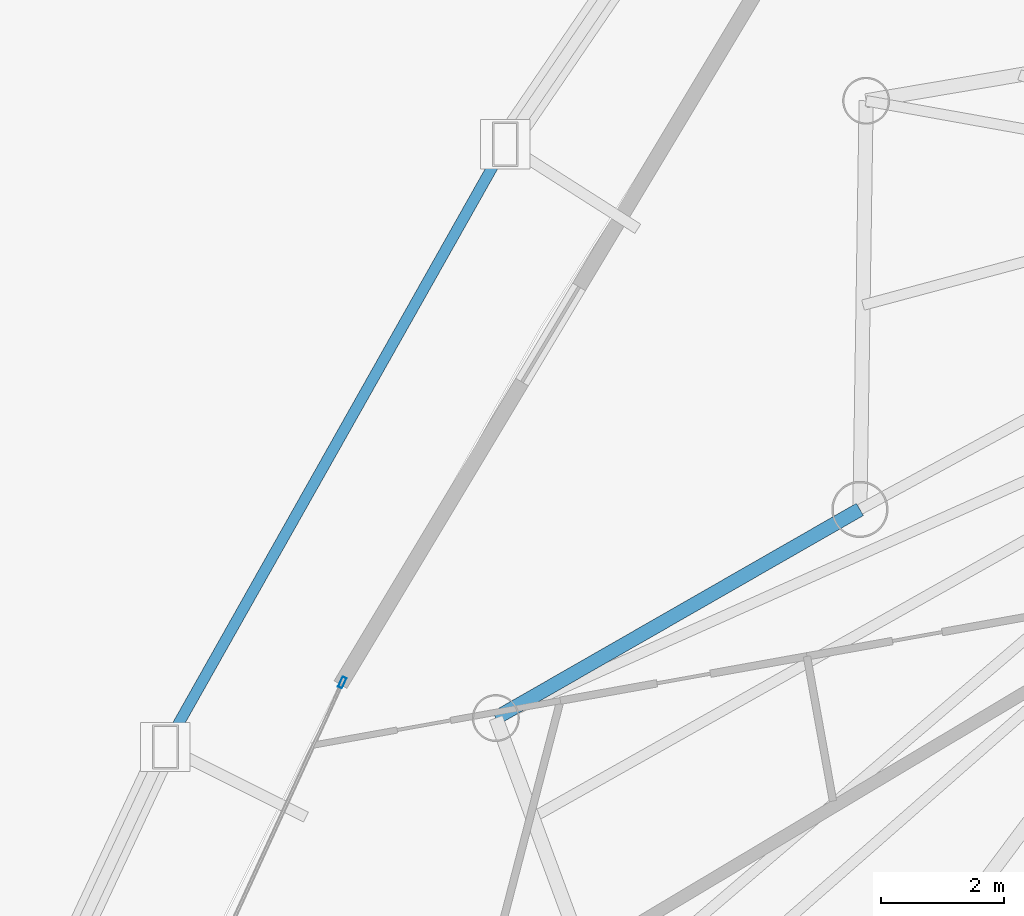
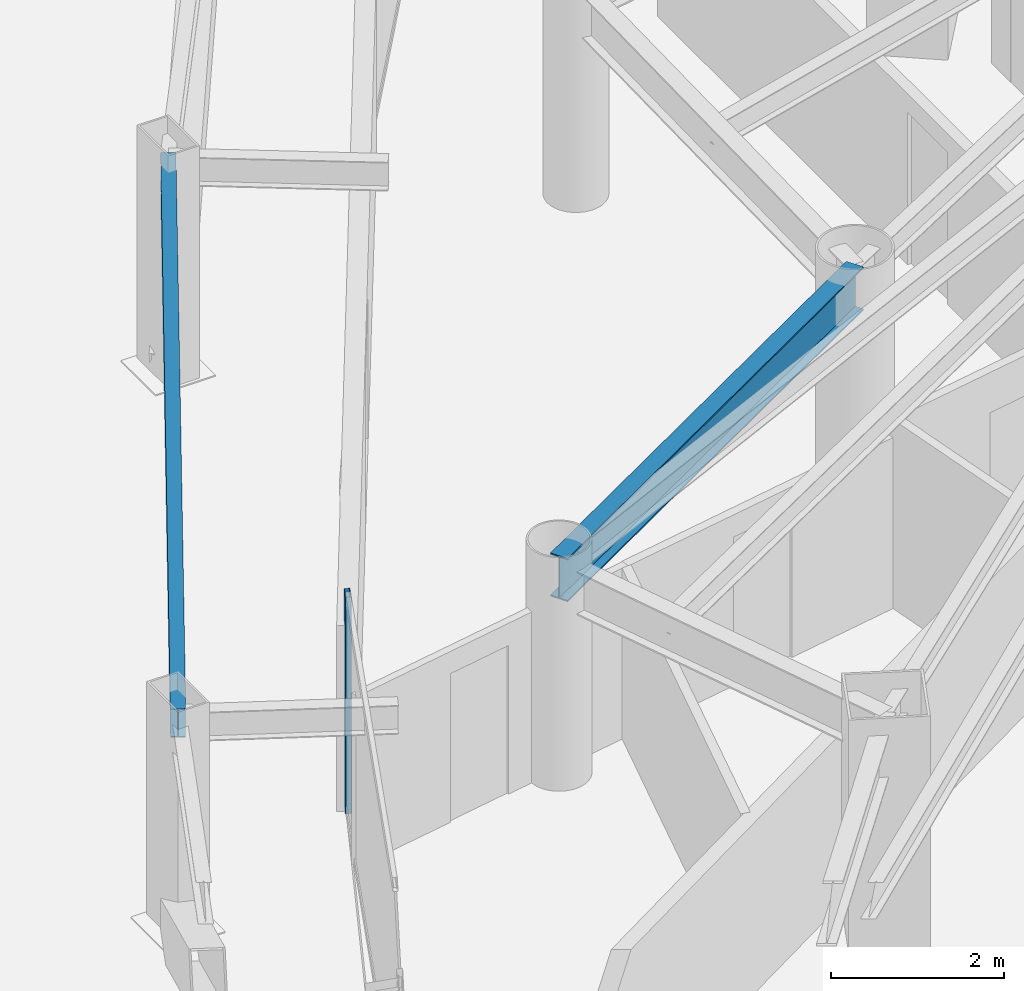
# One storey, part 10 of 36: 2 beams, 1 member, 1 element without a shape of its own.
"""IFC4 building model written with IfcOpenShell, lengths in metres."""

from ifc_helpers import new_model, si_unit, direction, frame, origin, origin_2d, place, context, subcontext, project, spatial, hollow_rectangle, i_section, extrude, material, layer, layer_set, material_profile, profile_set, type_object, element, aggregate, save


model = new_model("IFC4")

# Units and contexts
model_context = context("Model", 3, precision=1e-05, world=origin(), true_north=direction((0.0, 1.0)))
body_context = subcontext(model_context, "Body", "Model", "MODEL_VIEW")
ifc_project = project(units=[si_unit("LENGTHUNIT", "METRE"), si_unit("AREAUNIT", "SQUARE_METRE"), si_unit("VOLUMEUNIT", "CUBIC_METRE"), si_unit("PLANEANGLEUNIT", "RADIAN"), si_unit("MASSUNIT", "GRAM", prefix="KILO")], contexts=[model_context])

# Site, building, storey
site_placement = place(None, origin())
site = spatial("IfcSite", under=ifc_project, at=site_placement, CompositionType="ELEMENT")
building_placement = place(site_placement, origin())
building = spatial("IfcBuilding", under=site, at=building_placement, Name="Orvanel Arch Residences", CompositionType="ELEMENT")
storey_placement = place(building_placement, frame((0.0, 0.0, 23.60009765625)))
storey = spatial("IfcBuildingStorey", under=building, at=storey_placement, Name="L05", CompositionType="ELEMENT", Elevation=23.60009765625)

# Curtain wall, member
ifc_material_1 = material(Name="Bronze-anodised aluminium AA6063-T6", Category="aluminium")
ifc_layer = layer(ifc_material_1, 0.179931640625)
ifc_layer_set = layer_set([ifc_layer], Name="Bronze-anodised aluminium AA6063-T6")
curtain_wall_type = type_object("IfcCurtainWallType", Name="CW2-LOW-SYS", PredefinedType="NOTDEFINED", material=ifc_layer_set)
curtain_wall_placement = place(storey_placement, origin())
curtain_wall = element("IfcCurtainWall", 1, at=curtain_wall_placement, inside=storey, type_object=curtain_wall_type, Name="L05 CW2-LOW-SYS Unitised Curtain Wall", PredefinedType="NOTDEFINED")
ifc_material_profile_1 = material_profile(ifc_material_1, hollow_rectangle(XDim=0.070068359375, YDim=0.179931640625, WallThickness=0.00439453125, at=origin_2d()), Name="ALU180x70x4.5")
ifc_profile_set_1 = profile_set([ifc_material_profile_1], Name="Bronze-anodised aluminium AA6063-T6")
member_type = type_object("IfcMemberType", Name="MUL-180x70", PredefinedType="MULLION", material=ifc_profile_set_1)
member_placement = place(storey_placement, frame((12.17041015625, 24.833251953125, 0.0), z_axis=(0.0, 0.0, 1.0), x_axis=(0.909015042916, -0.416763304229, 0.0)))
member = element("IfcMember", 2, at=member_placement, type_object=member_type, Name="CW-S2 mullion 1", PredefinedType="MULLION", context=body_context, shape_type="SweptSolid", body=[
    extrude(hollow_rectangle(XDim=0.070068359375, YDim=0.179931640625, WallThickness=0.00439453125, at=origin_2d()), origin(), (0.0, 0.0, 1.0), 3.059814453125),
])
aggregate(curtain_wall, [member])

# Beams
ifc_material_2 = material(Name="Structural steel AS/NZS 3679.1 Grade 300 (300 MPa)", Category="steel")
ifc_material_profile_2 = material_profile(ifc_material_2, i_section(OverallWidth=0.177978515625, OverallDepth=0.406005859375, WebThickness=0.0078125, FlangeThickness=0.0126953125, at=origin_2d()), Name="410UB59.7")
ifc_profile_set_2 = profile_set([ifc_material_profile_2], Name="Structural steel AS/NZS 3679.1 Grade 300 (300 MPa)")
beam_type_1 = type_object("IfcBeamType", Name="OB-410UB-EXT", PredefinedType="SPANDREL", material=ifc_profile_set_2)
beam_1_placement = place(storey_placement, frame((14.81494140625, 33.56494140625, 2.85693359375), z_axis=(-0.491266615184, -0.871009249552, 0.0), x_axis=(0.871009249552, -0.491266615184, 0.0)))
element("IfcBeam", 3, at=beam_1_placement, inside=storey, type_object=beam_type_1, Name="L05 Outer Perimeter Floor Ring Beam 02", PredefinedType="SPANDREL", context=body_context, shape_type="SweptSolid", body=[
    extrude(i_section(OverallWidth=0.177978515625, OverallDepth=0.406005859375, WebThickness=0.0078125, FlangeThickness=0.0126953125, at=origin_2d()), origin(), (0.0, 0.0, 1.0), 11.225830078125),
])
ifc_material_profile_3 = material_profile(ifc_material_2, i_section(OverallWidth=0.22900390625, OverallDepth=0.612060546875, WebThickness=0.011962890625, FlangeThickness=0.01953125, at=origin_2d()), Name="610UB125")
ifc_profile_set_3 = profile_set([ifc_material_profile_3], Name="Structural steel AS/NZS 3679.1 Grade 300 (300 MPa)")
beam_type_2 = type_object("IfcBeamType", Name="SP-610UB", PredefinedType="SPANDREL", material=ifc_profile_set_3)
beam_2_placement = place(storey_placement, frame((20.569091796875, 27.64111328125, 2.75390625), z_axis=(-0.867635629025, -0.497200578485, 0.0), x_axis=(0.497200578485, -0.867635629025, 0.0)))
element("IfcBeam", 4, at=beam_2_placement, inside=storey, type_object=beam_type_2, Name="L05 Perimeter Spandrel Beam 21", PredefinedType="SPANDREL", context=body_context, shape_type="SweptSolid", body=[
    extrude(i_section(OverallWidth=0.22900390625, OverallDepth=0.612060546875, WebThickness=0.011962890625, FlangeThickness=0.01953125, at=origin_2d()), origin(), (0.0, 0.0, 1.0), 6.80810546875),
])

save(model, "model.ifc")
